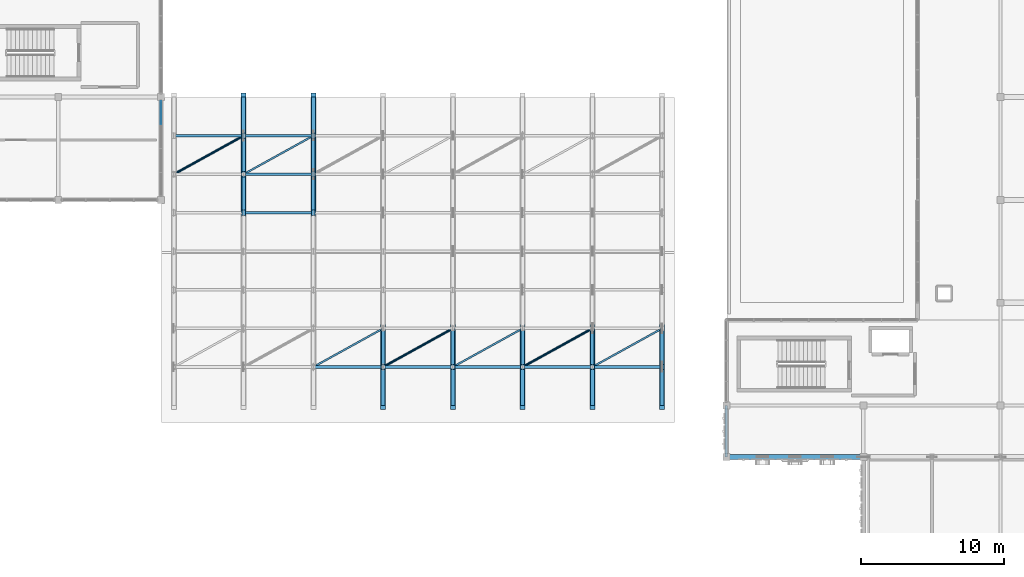
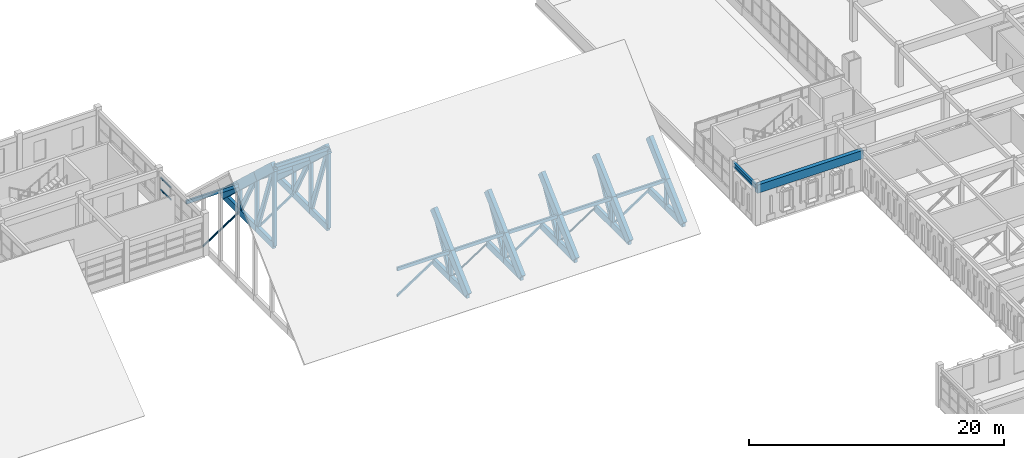
# One storey, part 22 of 79: 69 members, 2 beams, 1 element without a shape of its own.
"""IFC4 building model written with IfcOpenShell, lengths in metres."""

from ifc_helpers import new_model, si_unit, direction, frame, origin, origin_2d, place, context, subcontext, project, spatial, rectangle, hollow_rectangle, hollow_circle, i_section, extrude, material, material_profile, profile_set, type_object, element, aggregate, save


model = new_model("IFC4")

# Units and contexts
model_context = context("Model", 3, precision=1e-05, world=origin(), true_north=direction((0.0, 1.0)))
body_context = subcontext(model_context, "Body", "Model", "MODEL_VIEW")
ifc_project = project(units=[si_unit("LENGTHUNIT", "METRE"), si_unit("AREAUNIT", "SQUARE_METRE"), si_unit("VOLUMEUNIT", "CUBIC_METRE"), si_unit("PLANEANGLEUNIT", "RADIAN"), si_unit("MASSUNIT", "GRAM", prefix="KILO")], contexts=[model_context])

# Site, building, storey
site_placement = place(None, origin())
site = spatial("IfcSite", under=ifc_project, at=site_placement, CompositionType="ELEMENT")
building_placement = place(site_placement, origin())
building = spatial("IfcBuilding", under=site, at=building_placement, Name="Nzembalo Square Collegiate School", CompositionType="ELEMENT")
storey_placement = place(building_placement, frame((0.0, 0.0, 9.52001953125)))
storey = spatial("IfcBuildingStorey", under=building, at=storey_placement, Name="L02", CompositionType="ELEMENT", Elevation=9.52001953125)

# Beams
ifc_material_1 = material(Name="Steel S355", Category="steel")
ifc_material_profile_1 = material_profile(ifc_material_1, i_section(OverallWidth=0.18994140625, OverallDepth=0.449951171875, WebThickness=0.009521484375, FlangeThickness=0.0146484375, at=origin_2d()), Name="IPE 450")
ifc_profile_set_1 = profile_set([ifc_material_profile_1], Name="Steel S355")
beam_type_1 = type_object("IfcBeamType", Name="B09", PredefinedType="BEAM", material=ifc_profile_set_1)
beam_1_placement = place(storey_placement, frame((130.800048828125, 79.199951171875, 3.56005859375), z_axis=(0.0, 1.0, 0.0), x_axis=(-1.0, 0.0, 0.0)))
element("IfcBeam", 1, at=beam_1_placement, inside=storey, type_object=beam_type_1, Name="Beam B09 L02", PredefinedType="BEAM", context=body_context, shape_type="SweptSolid", body=[
    extrude(i_section(OverallWidth=0.18994140625, OverallDepth=0.449951171875, WebThickness=0.009521484375, FlangeThickness=0.0146484375, at=origin_2d()), origin(), (0.0, 0.0, 1.0), 3.60009765625),
])
ifc_material_2 = material(Name="Glulam GL32h", Category="wood")
ifc_material_profile_2 = material_profile(ifc_material_2, rectangle(XDim=0.360107421875, YDim=0.800048828125, at=origin_2d()), Name="GL32h 360x800")
ifc_profile_set_2 = profile_set([ifc_material_profile_2], Name="Glulam GL32h")
beam_type_2 = type_object("IfcBeamType", Name="B13", PredefinedType="BEAM", material=ifc_profile_set_2)
beam_2_placement = place(storey_placement, frame((130.800048828125, 79.199951171875, 3.385009765625), z_axis=(1.0, 0.0, 0.0), x_axis=(0.0, 1.0, 0.0)))
element("IfcBeam", 2, at=beam_2_placement, inside=storey, type_object=beam_type_2, Name="Beam B13 L02", PredefinedType="BEAM", context=body_context, shape_type="SweptSolid", body=[
    extrude(rectangle(XDim=0.360107421875, YDim=0.800048828125, at=origin_2d()), origin(), (0.0, 0.0, 1.0), 9.599853515625),
])

# Curtain wall, members
ifc_material_3 = material(Name="Aluminium 6060-T66", Category="aluminium")
curtain_wall_type = type_object("IfcCurtainWallType", Name="CW-07", PredefinedType="USERDEFINED", material=ifc_material_3)
curtain_wall_placement = place(storey_placement, origin())
curtain_wall = element("IfcCurtainWall", 3, at=curtain_wall_placement, inside=storey, type_object=curtain_wall_type, Name="Curtain wall CW-07 cw:L02:110", ObjectType="LANCET", PredefinedType="USERDEFINED")
ifc_material_4 = material(Name="Aluminium 6060-T66", Category="aluminium")
ifc_material_profile_3 = material_profile(ifc_material_4, rectangle(XDim=0.06005859375, YDim=0.110107421875, at=origin_2d()), Name="ALU T60x110")
ifc_profile_set_3 = profile_set([ifc_material_profile_3], Name="Aluminium 6060-T66")
member_type_1 = type_object("IfcMemberType", Name="TR02", PredefinedType="USERDEFINED", material=ifc_profile_set_3)
member_1_placement = place(storey_placement, frame((91.199951171875, 102.509033203125, 2.034423828125), z_axis=(0.0, 1.0, 0.0), x_axis=(-1.0, 0.0, 0.0)))
member_1 = element("IfcMember", 4, at=member_1_placement, type_object=member_type_1, Name="TR02 transom 2-4", ObjectType="TRANSOM", PredefinedType="USERDEFINED", context=body_context, shape_type="SweptSolid", body=[
    extrude(rectangle(XDim=0.06005859375, YDim=0.110107421875, at=origin_2d()), origin(), (0.0, 0.0, 1.0), 1.5888671875),
])
member_2_placement = place(storey_placement, frame((91.199951171875, 102.509033203125, 3.18896484375), z_axis=(0.0, 1.0, 0.0), x_axis=(-1.0, 0.0, 0.0)))
member_2 = element("IfcMember", 5, at=member_2_placement, type_object=member_type_1, Name="TR02 transom 3-4", ObjectType="TRANSOM", PredefinedType="USERDEFINED", context=body_context, shape_type="SweptSolid", body=[
    extrude(rectangle(XDim=0.06005859375, YDim=0.110107421875, at=origin_2d()), origin(), (0.0, 0.0, 1.0), 1.5888671875),
])
aggregate(curtain_wall, [member_1, member_2])

# Members
ifc_material_5 = material(Name="Steel S355", Category="steel")
ifc_material_profile_4 = material_profile(ifc_material_5, hollow_circle(Radius=0.083984375, WallThickness=0.008056640625, at=origin_2d()), Name="CHS 168x8")
ifc_profile_set_4 = profile_set([ifc_material_profile_4], Name="Steel S355")
member_type_2 = type_object("IfcMemberType", Name="BR01", PredefinedType="BRACE", material=ifc_profile_set_4)
for number, where, z_axis, x_axis, name in (
    (6, (92.10009765625, 99.0, -0.60009765625), (0.875236175481, 0.483695810536, 0.0), (-0.483695810536, 0.875236175481, 0.0), "Roof wind brace BR01 GT-AH1-02-6"),
    (7, (106.757080078125, 85.5, -0.60009765625), (0.875246407849, 0.483677294843, 0.0), (-0.483677294843, 0.875246407849, 0.0), "Roof wind brace BR01 GT-AH1-05-1"),
    (8, (116.528564453125, 85.5, -0.60009765625), (0.875246407849, 0.483677294843, 0.0), (-0.483677294843, 0.875246407849, 0.0), "Roof wind brace BR01 GT-AH1-07-1"),
):
    element("IfcMember", number, at=place(storey_placement, frame(where, z_axis=z_axis, x_axis=x_axis)), inside=storey, type_object=member_type_2, Name=name, PredefinedType="BRACE", context=body_context, shape_type="SweptSolid", body=[
        extrude(hollow_circle(Radius=0.083984375, WallThickness=0.008056640625, at=origin_2d()), origin(), (0.0, 0.0, 1.0), 5.58203125),
    ])
ifc_material_6 = material(Name="Steel S355", Category="steel")
ifc_material_profile_5 = material_profile(ifc_material_6, hollow_rectangle(XDim=0.1201171875, YDim=0.199951171875, WallThickness=0.008056640625, at=origin_2d()), Name="RHS 200x120x8")
ifc_profile_set_5 = profile_set([ifc_material_profile_5], Name="Steel S355")
member_type_3 = type_object("IfcMemberType", Name="BR02", PredefinedType="BRACE", material=ifc_profile_set_5)
for number, where, z_axis, x_axis, name in (
    (9, (96.985595703125, 99.0, -0.60009765625), (0.875246407849, 0.483677294843, 0.0), (-0.483677294843, 0.875246407849, 0.0), "Roof wind brace BR02 GT-AH1-03-6"),
    (10, (101.871337890625, 85.5, -0.60009765625), (0.875246407849, 0.483677294843, 0.0), (-0.483677294843, 0.875246407849, 0.0), "Roof wind brace BR02 GT-AH1-04-1"),
    (11, (111.642822265625, 85.5, -0.60009765625), (0.875246407849, 0.483677294843, 0.0), (-0.483677294843, 0.875246407849, 0.0), "Roof wind brace BR02 GT-AH1-06-1"),
    (12, (121.414306640625, 85.5, -0.60009765625), (0.875246407849, 0.483677294843, 0.0), (-0.483677294843, 0.875246407849, 0.0), "Roof wind brace BR02 GT-AH1-08-1"),
):
    element("IfcMember", number, at=place(storey_placement, frame(where, z_axis=z_axis, x_axis=x_axis)), inside=storey, type_object=member_type_3, Name=name, PredefinedType="BRACE", context=body_context, shape_type="SweptSolid", body=[
        extrude(hollow_rectangle(XDim=0.1201171875, YDim=0.199951171875, WallThickness=0.008056640625, at=origin_2d()), origin(), (0.0, 0.0, 1.0), 5.58203125),
    ])
ifc_material_7 = material(Name="Glulam GL28h", Category="wood")
ifc_material_profile_6 = material_profile(ifc_material_7, rectangle(XDim=0.179931640625, YDim=0.320068359375, at=origin_2d()), Name="GL28h 180x320")
ifc_profile_set_6 = profile_set([ifc_material_profile_6], Name="Glulam GL28h")
member_type_4 = type_object("IfcMemberType", Name="PR01", PredefinedType="PURLIN", material=ifc_profile_set_6)
member_3_placement = place(storey_placement, frame((92.10009765625, 101.699951171875, 1.9599609375), z_axis=(1.0, 0.0, 0.0), x_axis=(0.0, 1.0, 0.0)))
element("IfcMember", 13, at=member_3_placement, inside=storey, type_object=member_type_4, Name="Roof purlin PR01 GT-AH1-02-7", PredefinedType="PURLIN", context=body_context, shape_type="SweptSolid", body=[
    extrude(rectangle(XDim=0.179931640625, YDim=0.320068359375, at=origin_2d()), origin(), (0.0, 0.0, 1.0), 4.885498046875),
])
for number, where, z_axis, x_axis, name in (
    (14, (96.985595703125, 96.300048828125, 6.989990234375), (1.0, 0.0, 0.0), (0.0, 1.0, 0.0), "Roof purlin PR01 GT-AH1-03-5"),
    (15, (96.985595703125, 99.0, 4.47509765625), (1.0, 0.0, 0.0), (0.0, 1.0, 0.0), "Roof purlin PR01 GT-AH1-03-6"),
    (16, (96.985595703125, 101.699951171875, 1.9599609375), (1.0, 0.0, 0.0), (0.0, 1.0, 0.0), "Roof purlin PR01 GT-AH1-03-7"),
    (17, (101.871337890625, 85.5, 1.9599609375), (1.0, 0.0, 0.0), (0.0, 1.0, 0.0), "Roof purlin PR01 GT-AH1-04-1"),
    (18, (106.757080078125, 85.5, 1.9599609375), (1.0, 0.0, 0.0), (0.0, 1.0, 0.0), "Roof purlin PR01 GT-AH1-05-1"),
    (19, (111.642822265625, 85.5, 1.9599609375), (1.0, 0.0, 0.0), (0.0, 1.0, 0.0), "Roof purlin PR01 GT-AH1-06-1"),
    (20, (116.528564453125, 85.5, 1.9599609375), (1.0, 0.0, 0.0), (0.0, 1.0, 0.0), "Roof purlin PR01 GT-AH1-07-1"),
    (21, (121.414306640625, 85.5, 1.9599609375), (1.0, 0.0, 0.0), (0.0, 1.0, 0.0), "Roof purlin PR01 GT-AH1-08-1"),
):
    element("IfcMember", number, at=place(storey_placement, frame(where, z_axis=z_axis, x_axis=x_axis)), inside=storey, type_object=member_type_4, Name=name, PredefinedType="PURLIN", context=body_context, shape_type="SweptSolid", body=[
        extrude(rectangle(XDim=0.179931640625, YDim=0.320068359375, at=origin_2d()), origin(), (0.0, 0.0, 1.0), 4.8857421875),
    ])
ifc_material_8 = material(Name="Glulam GL32h", Category="wood")
ifc_material_profile_7 = material_profile(ifc_material_8, rectangle(XDim=0.360107421875, YDim=0.800048828125, at=origin_2d()), Name="GL32h 360x800")
ifc_profile_set_7 = profile_set([ifc_material_profile_7], Name="Glulam GL32h")
member_type_5 = type_object("IfcMemberType", Name="TC01", PredefinedType="CHORD", material=ifc_profile_set_7)
member_4_placement = place(storey_placement, frame((96.985595703125, 96.300048828125, 6.945068359375), z_axis=(0.0, 0.731706201412, -0.681620154349), x_axis=(-1.0, 0.0, 0.0)))
element("IfcMember", 22, at=member_4_placement, inside=storey, type_object=member_type_5, Name="GT-AH1-02 top chord 6", PredefinedType="CHORD", context=body_context, shape_type="SweptSolid", body=[
    extrude(rectangle(XDim=0.360107421875, YDim=0.800048828125, at=origin_2d()), origin(), (0.0, 0.0, 1.0), 3.68994140625),
])
member_5_placement = place(storey_placement, frame((96.985595703125, 99.0, 4.429931640625), z_axis=(0.0, 0.731739200986, -0.681584728218), x_axis=(-1.0, 0.0, 0.0)))
element("IfcMember", 23, at=member_5_placement, inside=storey, type_object=member_type_5, Name="GT-AH1-02 top chord 7", PredefinedType="CHORD", context=body_context, shape_type="SweptSolid", body=[
    extrude(rectangle(XDim=0.360107421875, YDim=0.800048828125, at=origin_2d()), origin(), (0.0, 0.0, 1.0), 3.689697265625),
])
for number, where, z_axis, x_axis, name in (
    (24, (96.985595703125, 101.699951171875, 1.9150390625), (0.0, 0.731706201412, -0.681620154349), (-1.0, 0.0, 0.0), "GT-AH1-02 top chord 8"),
    (25, (101.871337890625, 96.300048828125, 6.945068359375), (0.0, 0.731706201412, -0.681620154349), (-1.0, 0.0, 0.0), "GT-AH1-03 top chord 6"),
):
    element("IfcMember", number, at=place(storey_placement, frame(where, z_axis=z_axis, x_axis=x_axis)), inside=storey, type_object=member_type_5, Name=name, PredefinedType="CHORD", context=body_context, shape_type="SweptSolid", body=[
        extrude(rectangle(XDim=0.360107421875, YDim=0.800048828125, at=origin_2d()), origin(), (0.0, 0.0, 1.0), 3.68994140625),
    ])
member_6_placement = place(storey_placement, frame((101.871337890625, 99.0, 4.429931640625), z_axis=(0.0, 0.731739200986, -0.681584728218), x_axis=(-1.0, 0.0, 0.0)))
element("IfcMember", 26, at=member_6_placement, inside=storey, type_object=member_type_5, Name="GT-AH1-03 top chord 7", PredefinedType="CHORD", context=body_context, shape_type="SweptSolid", body=[
    extrude(rectangle(XDim=0.360107421875, YDim=0.800048828125, at=origin_2d()), origin(), (0.0, 0.0, 1.0), 3.689697265625),
])
for number, where, z_axis, x_axis, name in (
    (27, (101.871337890625, 101.699951171875, 1.9150390625), (0.0, 0.731706201412, -0.681620154349), (-1.0, 0.0, 0.0), "GT-AH1-03 top chord 8"),
    (28, (106.757080078125, 82.800048828125, -0.60009765625), (0.0, 0.731706201412, 0.681620154349), (-1.0, 0.0, 0.0), "GT-AH1-04 top chord 1"),
):
    element("IfcMember", number, at=place(storey_placement, frame(where, z_axis=z_axis, x_axis=x_axis)), inside=storey, type_object=member_type_5, Name=name, PredefinedType="CHORD", context=body_context, shape_type="SweptSolid", body=[
        extrude(rectangle(XDim=0.360107421875, YDim=0.800048828125, at=origin_2d()), origin(), (0.0, 0.0, 1.0), 3.68994140625),
    ])
member_7_placement = place(storey_placement, frame((106.757080078125, 85.5, 1.9150390625), z_axis=(0.0, 0.731739200986, 0.681584728218), x_axis=(-1.0, 0.0, 0.0)))
element("IfcMember", 29, at=member_7_placement, inside=storey, type_object=member_type_5, Name="GT-AH1-04 top chord 2", PredefinedType="CHORD", context=body_context, shape_type="SweptSolid", body=[
    extrude(rectangle(XDim=0.360107421875, YDim=0.800048828125, at=origin_2d()), origin(), (0.0, 0.0, 1.0), 3.689697265625),
])
member_8_placement = place(storey_placement, frame((111.642822265625, 82.800048828125, -0.60009765625), z_axis=(0.0, 0.731706201412, 0.681620154349), x_axis=(-1.0, 0.0, 0.0)))
element("IfcMember", 30, at=member_8_placement, inside=storey, type_object=member_type_5, Name="GT-AH1-05 top chord 1", PredefinedType="CHORD", context=body_context, shape_type="SweptSolid", body=[
    extrude(rectangle(XDim=0.360107421875, YDim=0.800048828125, at=origin_2d()), origin(), (0.0, 0.0, 1.0), 3.68994140625),
])
member_9_placement = place(storey_placement, frame((111.642822265625, 85.5, 1.9150390625), z_axis=(0.0, 0.731739200986, 0.681584728218), x_axis=(-1.0, 0.0, 0.0)))
element("IfcMember", 31, at=member_9_placement, inside=storey, type_object=member_type_5, Name="GT-AH1-05 top chord 2", PredefinedType="CHORD", context=body_context, shape_type="SweptSolid", body=[
    extrude(rectangle(XDim=0.360107421875, YDim=0.800048828125, at=origin_2d()), origin(), (0.0, 0.0, 1.0), 3.689697265625),
])
member_10_placement = place(storey_placement, frame((116.528564453125, 82.800048828125, -0.60009765625), z_axis=(0.0, 0.731706201412, 0.681620154349), x_axis=(-1.0, 0.0, 0.0)))
element("IfcMember", 32, at=member_10_placement, inside=storey, type_object=member_type_5, Name="GT-AH1-06 top chord 1", PredefinedType="CHORD", context=body_context, shape_type="SweptSolid", body=[
    extrude(rectangle(XDim=0.360107421875, YDim=0.800048828125, at=origin_2d()), origin(), (0.0, 0.0, 1.0), 3.68994140625),
])
member_11_placement = place(storey_placement, frame((116.528564453125, 85.5, 1.9150390625), z_axis=(0.0, 0.731739200986, 0.681584728218), x_axis=(-1.0, 0.0, 0.0)))
element("IfcMember", 33, at=member_11_placement, inside=storey, type_object=member_type_5, Name="GT-AH1-06 top chord 2", PredefinedType="CHORD", context=body_context, shape_type="SweptSolid", body=[
    extrude(rectangle(XDim=0.360107421875, YDim=0.800048828125, at=origin_2d()), origin(), (0.0, 0.0, 1.0), 3.689697265625),
])
member_12_placement = place(storey_placement, frame((121.414306640625, 82.800048828125, -0.60009765625), z_axis=(0.0, 0.731706201412, 0.681620154349), x_axis=(-1.0, 0.0, 0.0)))
element("IfcMember", 34, at=member_12_placement, inside=storey, type_object=member_type_5, Name="GT-AH1-07 top chord 1", PredefinedType="CHORD", context=body_context, shape_type="SweptSolid", body=[
    extrude(rectangle(XDim=0.360107421875, YDim=0.800048828125, at=origin_2d()), origin(), (0.0, 0.0, 1.0), 3.68994140625),
])
member_13_placement = place(storey_placement, frame((121.414306640625, 85.5, 1.9150390625), z_axis=(0.0, 0.731739200986, 0.681584728218), x_axis=(-1.0, 0.0, 0.0)))
element("IfcMember", 35, at=member_13_placement, inside=storey, type_object=member_type_5, Name="GT-AH1-07 top chord 2", PredefinedType="CHORD", context=body_context, shape_type="SweptSolid", body=[
    extrude(rectangle(XDim=0.360107421875, YDim=0.800048828125, at=origin_2d()), origin(), (0.0, 0.0, 1.0), 3.689697265625),
])
member_14_placement = place(storey_placement, frame((126.300048828125, 82.800048828125, -0.60009765625), z_axis=(0.0, 0.731706201412, 0.681620154349), x_axis=(-1.0, 0.0, 0.0)))
element("IfcMember", 36, at=member_14_placement, inside=storey, type_object=member_type_5, Name="GT-AH1-08 top chord 1", PredefinedType="CHORD", context=body_context, shape_type="SweptSolid", body=[
    extrude(rectangle(XDim=0.360107421875, YDim=0.800048828125, at=origin_2d()), origin(), (0.0, 0.0, 1.0), 3.68994140625),
])
member_15_placement = place(storey_placement, frame((126.300048828125, 85.5, 1.9150390625), z_axis=(0.0, 0.731739200986, 0.681584728218), x_axis=(-1.0, 0.0, 0.0)))
element("IfcMember", 37, at=member_15_placement, inside=storey, type_object=member_type_5, Name="GT-AH1-08 top chord 2", PredefinedType="CHORD", context=body_context, shape_type="SweptSolid", body=[
    extrude(rectangle(XDim=0.360107421875, YDim=0.800048828125, at=origin_2d()), origin(), (0.0, 0.0, 1.0), 3.689697265625),
])
ifc_material_9 = material(Name="Glulam GL32h", Category="wood")
ifc_material_profile_8 = material_profile(ifc_material_9, rectangle(XDim=0.280029296875, YDim=0.639892578125, at=origin_2d()), Name="GL32h 280x640")
ifc_profile_set_8 = profile_set([ifc_material_profile_8], Name="Glulam GL32h")
member_type_6 = type_object("IfcMemberType", Name="TC02", PredefinedType="CHORD", material=ifc_profile_set_8)
for number, where, z_axis, x_axis, name in (
    (38, (96.985595703125, 96.300048828125, -0.60009765625), (0.0, 1.0, 0.0), (-1.0, 0.0, 0.0), "GT-AH1-02 bottom chord 6"),
    (39, (96.985595703125, 99.0, -0.60009765625), (0.0, 1.0, 0.0), (-1.0, 0.0, 0.0), "GT-AH1-02 bottom chord 7"),
    (40, (96.985595703125, 101.699951171875, -0.60009765625), (0.0, 1.0, 0.0), (-1.0, 0.0, 0.0), "GT-AH1-02 bottom chord 8"),
    (41, (101.871337890625, 96.300048828125, -0.60009765625), (0.0, 1.0, 0.0), (-1.0, 0.0, 0.0), "GT-AH1-03 bottom chord 6"),
    (42, (101.871337890625, 99.0, -0.60009765625), (0.0, 1.0, 0.0), (-1.0, 0.0, 0.0), "GT-AH1-03 bottom chord 7"),
    (43, (101.871337890625, 101.699951171875, -0.60009765625), (0.0, 1.0, 0.0), (-1.0, 0.0, 0.0), "GT-AH1-03 bottom chord 8"),
    (44, (106.757080078125, 82.800048828125, -0.60009765625), (0.0, 1.0, 0.0), (-1.0, 0.0, 0.0), "GT-AH1-04 bottom chord 1"),
    (45, (106.757080078125, 85.5, -0.60009765625), (0.0, 1.0, 0.0), (-1.0, 0.0, 0.0), "GT-AH1-04 bottom chord 2"),
    (46, (111.642822265625, 82.800048828125, -0.60009765625), (0.0, 1.0, 0.0), (-1.0, 0.0, 0.0), "GT-AH1-05 bottom chord 1"),
    (47, (111.642822265625, 85.5, -0.60009765625), (0.0, 1.0, 0.0), (-1.0, 0.0, 0.0), "GT-AH1-05 bottom chord 2"),
    (48, (116.528564453125, 82.800048828125, -0.60009765625), (0.0, 1.0, 0.0), (-1.0, 0.0, 0.0), "GT-AH1-06 bottom chord 1"),
    (49, (116.528564453125, 85.5, -0.60009765625), (0.0, 1.0, 0.0), (-1.0, 0.0, 0.0), "GT-AH1-06 bottom chord 2"),
    (50, (121.414306640625, 82.800048828125, -0.60009765625), (0.0, 1.0, 0.0), (-1.0, 0.0, 0.0), "GT-AH1-07 bottom chord 1"),
    (51, (121.414306640625, 85.5, -0.60009765625), (0.0, 1.0, 0.0), (-1.0, 0.0, 0.0), "GT-AH1-07 bottom chord 2"),
    (52, (126.300048828125, 82.800048828125, -0.60009765625), (0.0, 1.0, 0.0), (-1.0, 0.0, 0.0), "GT-AH1-08 bottom chord 1"),
    (53, (126.300048828125, 85.5, -0.60009765625), (0.0, 1.0, 0.0), (-1.0, 0.0, 0.0), "GT-AH1-08 bottom chord 2"),
):
    element("IfcMember", number, at=place(storey_placement, frame(where, z_axis=z_axis, x_axis=x_axis)), inside=storey, type_object=member_type_6, Name=name, PredefinedType="CHORD", context=body_context, shape_type="SweptSolid", body=[
        extrude(rectangle(XDim=0.280029296875, YDim=0.639892578125, at=origin_2d()), origin(), (0.0, 0.0, 1.0), 2.699951171875),
    ])
ifc_material_10 = material(Name="Glulam GL32h", Category="wood")
ifc_material_profile_9 = material_profile(ifc_material_10, rectangle(XDim=0.239990234375, YDim=0.360107421875, at=origin_2d()), Name="GL32h 240x360")
ifc_profile_set_9 = profile_set([ifc_material_profile_9], Name="Glulam GL32h")
member_type_7 = type_object("IfcMemberType", Name="TD02", PredefinedType="BRACE", material=ifc_profile_set_9)
member_16_placement = place(storey_placement, frame((96.985595703125, 99.0, -0.60009765625), z_axis=(0.0, -0.336917244062, 0.941534264195), x_axis=(1.0, 0.0, 0.0)))
element("IfcMember", 54, at=member_16_placement, inside=storey, type_object=member_type_7, Name="GT-AH1-02 web diagonal 5", PredefinedType="BRACE", context=body_context, shape_type="SweptSolid", body=[
    extrude(rectangle(XDim=0.239990234375, YDim=0.360107421875, at=origin_2d()), origin(), (0.0, 0.0, 1.0), 8.013671875),
])
member_17_placement = place(storey_placement, frame((96.985595703125, 101.699951171875, -0.60009765625), z_axis=(0.0, -0.47294161091, 0.881093770646), x_axis=(1.0, 0.0, 0.0)))
element("IfcMember", 55, at=member_17_placement, inside=storey, type_object=member_type_7, Name="GT-AH1-02 web diagonal 6", PredefinedType="BRACE", context=body_context, shape_type="SweptSolid", body=[
    extrude(rectangle(XDim=0.239990234375, YDim=0.360107421875, at=origin_2d()), origin(), (0.0, 0.0, 1.0), 5.708740234375),
])
member_18_placement = place(storey_placement, frame((101.871337890625, 99.0, -0.60009765625), z_axis=(0.0, -0.336917244062, 0.941534264195), x_axis=(1.0, 0.0, 0.0)))
element("IfcMember", 56, at=member_18_placement, inside=storey, type_object=member_type_7, Name="GT-AH1-03 web diagonal 5", PredefinedType="BRACE", context=body_context, shape_type="SweptSolid", body=[
    extrude(rectangle(XDim=0.239990234375, YDim=0.360107421875, at=origin_2d()), origin(), (0.0, 0.0, 1.0), 8.013671875),
])
for number, where, z_axis, x_axis, name in (
    (57, (101.871337890625, 101.699951171875, -0.60009765625), (0.0, -0.47294161091, 0.881093770646), (1.0, 0.0, 0.0), "GT-AH1-03 web diagonal 6"),
    (58, (106.757080078125, 85.5, -0.60009765625), (0.0, 0.47294161091, 0.881093770646), (-1.0, 0.0, 0.0), "GT-AH1-04 web diagonal 1"),
    (59, (111.642822265625, 85.5, -0.60009765625), (0.0, 0.47294161091, 0.881093770646), (-1.0, 0.0, 0.0), "GT-AH1-05 web diagonal 1"),
    (60, (116.528564453125, 85.5, -0.60009765625), (0.0, 0.47294161091, 0.881093770646), (-1.0, 0.0, 0.0), "GT-AH1-06 web diagonal 1"),
    (61, (121.414306640625, 85.5, -0.60009765625), (0.0, 0.47294161091, 0.881093770646), (-1.0, 0.0, 0.0), "GT-AH1-07 web diagonal 1"),
):
    element("IfcMember", number, at=place(storey_placement, frame(where, z_axis=z_axis, x_axis=x_axis)), inside=storey, type_object=member_type_7, Name=name, PredefinedType="BRACE", context=body_context, shape_type="SweptSolid", body=[
        extrude(rectangle(XDim=0.239990234375, YDim=0.360107421875, at=origin_2d()), origin(), (0.0, 0.0, 1.0), 5.708740234375),
    ])
ifc_material_11 = material(Name="Glulam GL32h", Category="wood")
ifc_material_profile_10 = material_profile(ifc_material_11, rectangle(XDim=0.239990234375, YDim=0.360107421875, at=origin_2d()), Name="GL32h 240x360")
ifc_profile_set_10 = profile_set([ifc_material_profile_10], Name="Glulam GL32h")
member_type_8 = type_object("IfcMemberType", Name="TP01", PredefinedType="POST", material=ifc_profile_set_10)
member_19_placement = place(storey_placement, frame((96.985595703125, 96.300048828125, -0.60009765625), z_axis=(0.0, 0.0, 1.0), x_axis=(1.0, 0.0, 0.0)))
element("IfcMember", 62, at=member_19_placement, inside=storey, type_object=member_type_8, Name="GT-AH1-02 vertical post 5", PredefinedType="POST", context=body_context, shape_type="SweptSolid", body=[
    extrude(rectangle(XDim=0.239990234375, YDim=0.360107421875, at=origin_2d()), origin(), (0.0, 0.0, 1.0), 7.545166015625),
])
member_20_placement = place(storey_placement, frame((96.985595703125, 99.0, -0.60009765625), z_axis=(0.0, 0.0, 1.0), x_axis=(1.0, 0.0, 0.0)))
element("IfcMember", 63, at=member_20_placement, inside=storey, type_object=member_type_8, Name="GT-AH1-02 vertical post 6", PredefinedType="POST", context=body_context, shape_type="SweptSolid", body=[
    extrude(rectangle(XDim=0.239990234375, YDim=0.360107421875, at=origin_2d()), origin(), (0.0, 0.0, 1.0), 5.030029296875),
])
member_21_placement = place(storey_placement, frame((96.985595703125, 101.699951171875, -0.60009765625), z_axis=(0.0, 0.0, 1.0), x_axis=(1.0, 0.0, 0.0)))
element("IfcMember", 64, at=member_21_placement, inside=storey, type_object=member_type_8, Name="GT-AH1-02 vertical post 7", PredefinedType="POST", context=body_context, shape_type="SweptSolid", body=[
    extrude(rectangle(XDim=0.239990234375, YDim=0.360107421875, at=origin_2d()), origin(), (0.0, 0.0, 1.0), 2.51513671875),
])
member_22_placement = place(storey_placement, frame((101.871337890625, 96.300048828125, -0.60009765625), z_axis=(0.0, 0.0, 1.0), x_axis=(1.0, 0.0, 0.0)))
element("IfcMember", 65, at=member_22_placement, inside=storey, type_object=member_type_8, Name="GT-AH1-03 vertical post 5", PredefinedType="POST", context=body_context, shape_type="SweptSolid", body=[
    extrude(rectangle(XDim=0.239990234375, YDim=0.360107421875, at=origin_2d()), origin(), (0.0, 0.0, 1.0), 7.545166015625),
])
member_23_placement = place(storey_placement, frame((101.871337890625, 99.0, -0.60009765625), z_axis=(0.0, 0.0, 1.0), x_axis=(1.0, 0.0, 0.0)))
element("IfcMember", 66, at=member_23_placement, inside=storey, type_object=member_type_8, Name="GT-AH1-03 vertical post 6", PredefinedType="POST", context=body_context, shape_type="SweptSolid", body=[
    extrude(rectangle(XDim=0.239990234375, YDim=0.360107421875, at=origin_2d()), origin(), (0.0, 0.0, 1.0), 5.030029296875),
])
for number, where, z_axis, x_axis, name in (
    (67, (101.871337890625, 101.699951171875, -0.60009765625), (0.0, 0.0, 1.0), (1.0, 0.0, 0.0), "GT-AH1-03 vertical post 7"),
    (68, (106.757080078125, 85.5, -0.60009765625), (0.0, 0.0, 1.0), (1.0, 0.0, 0.0), "GT-AH1-04 vertical post 1"),
    (69, (111.642822265625, 85.5, -0.60009765625), (0.0, 0.0, 1.0), (1.0, 0.0, 0.0), "GT-AH1-05 vertical post 1"),
    (70, (116.528564453125, 85.5, -0.60009765625), (0.0, 0.0, 1.0), (1.0, 0.0, 0.0), "GT-AH1-06 vertical post 1"),
    (71, (121.414306640625, 85.5, -0.60009765625), (0.0, 0.0, 1.0), (1.0, 0.0, 0.0), "GT-AH1-07 vertical post 1"),
    (72, (126.300048828125, 85.5, -0.60009765625), (0.0, 0.0, 1.0), (1.0, 0.0, 0.0), "GT-AH1-08 vertical post 1"),
):
    element("IfcMember", number, at=place(storey_placement, frame(where, z_axis=z_axis, x_axis=x_axis)), inside=storey, type_object=member_type_8, Name=name, PredefinedType="POST", context=body_context, shape_type="SweptSolid", body=[
        extrude(rectangle(XDim=0.239990234375, YDim=0.360107421875, at=origin_2d()), origin(), (0.0, 0.0, 1.0), 2.51513671875),
    ])

save(model, "model.ifc")
